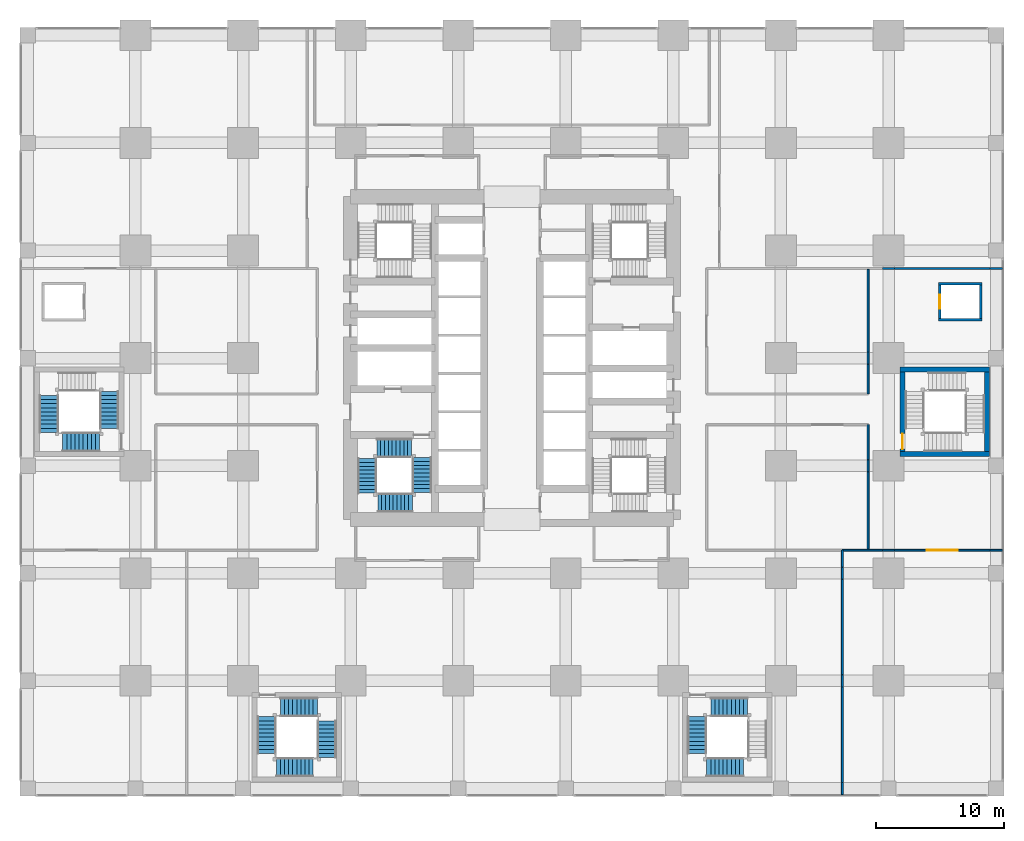
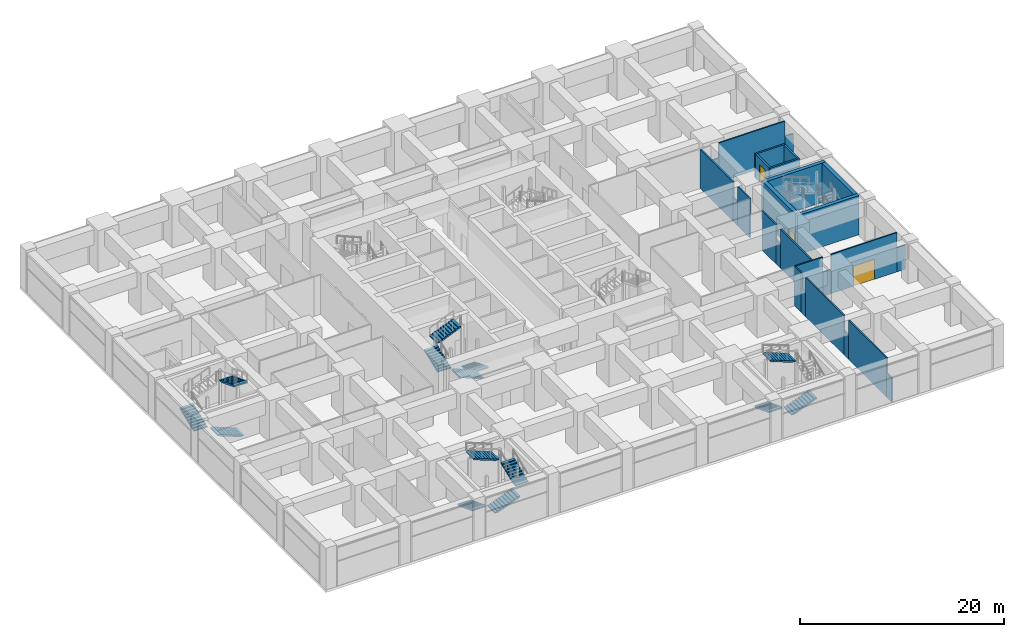
# One storey, part 39 of 49: 27 walls, 14 stair flights, 3 doors, 3 openings, 4 elements without a shape of their own.
"""IFC4 building model written with IfcOpenShell, lengths in metres."""

from ifc_helpers import new_model, si_unit, direction, frame, frame_2d, origin, place, context, subcontext, project, spatial, polyline, rectangle, outline, extrude, material, layer, layer_set, type_object, element, fill, aggregate, save


model = new_model("IFC4")

# Units and contexts
model_context = context("Model", 3, precision=1e-05, world=origin(), true_north=direction((0.0, 1.0)))
body_context = subcontext(model_context, "Body", "Model", "MODEL_VIEW")
ifc_project = project(units=[si_unit("LENGTHUNIT", "METRE"), si_unit("AREAUNIT", "SQUARE_METRE"), si_unit("VOLUMEUNIT", "CUBIC_METRE"), si_unit("PLANEANGLEUNIT", "RADIAN"), si_unit("MASSUNIT", "GRAM", prefix="KILO")], contexts=[model_context])

# Site, building, storey
site_placement = place(None, origin())
site = spatial("IfcSite", under=ifc_project, at=site_placement, CompositionType="ELEMENT")
building_placement = place(site_placement, origin())
building = spatial("IfcBuilding", under=site, at=building_placement, Name="Rekha Terrace Tower", CompositionType="ELEMENT")
storey_placement = place(building_placement, frame((0.0, 0.0, 10.39990234375)))
storey = spatial("IfcBuildingStorey", under=building, at=storey_placement, Name="L02", CompositionType="ELEMENT", Elevation=10.39990234375)

# Walls
ifc_material_1 = material(Name="Concrete block masonry, 1 hour", Category="masonry")
ifc_layer_1 = layer(ifc_material_1, 0.14990234375)
ifc_layer_set_1 = layer_set([ifc_layer_1], Name="Concrete block masonry, 1 hour")
wall_type_1 = type_object("IfcWallType", Name="WP2 150 tenancy partition", PredefinedType="PARTITIONING", material=ifc_layer_set_1)
wall_1_placement = place(storey_placement, frame((76.090087890625, 40.60009765625, 0.0), z_axis=(0.0, 0.0, 1.0), x_axis=(-1.0, 0.0, 0.0)))
element("IfcWall", 1, at=wall_1_placement, inside=storey, type_object=wall_type_1, Name="Partition L02-03", PredefinedType="PARTITIONING", context=body_context, shape_type="SweptSolid", body=[
    extrude(rectangle(XDim=0.9501953125, YDim=0.14990234375, at=frame_2d((0.47509765625, 0.0))), origin(), (0.0, 0.0, 1.0), 2.900146484375),
])
wall_2_placement = place(storey_placement, frame((75.139892578125, 40.60009765625, 0.0), z_axis=(0.0, 0.0, 1.0), x_axis=(-1.0, 0.0, 0.0)))
element("IfcWall", 2, at=wall_2_placement, inside=storey, type_object=wall_type_1, Name="Partition L02-03", PredefinedType="PARTITIONING", context=body_context, shape_type="SweptSolid", body=[
    extrude(rectangle(XDim=7.47998046875, YDim=0.14990234375, at=frame_2d((3.739990234375, 0.0))), origin(), (0.0, 0.0, 1.0), 4.7001953125),
])
wall_3_placement = place(storey_placement, frame((67.659912109375, 40.60009765625, 0.0), z_axis=(0.0, 0.0, 1.0), x_axis=(-1.0, 0.0, 0.0)))
element("IfcWall", 3, at=wall_3_placement, inside=storey, type_object=wall_type_1, Name="Partition L02-03", PredefinedType="PARTITIONING", context=body_context, shape_type="SweptSolid", body=[
    extrude(rectangle(XDim=0.919921875, YDim=0.14990234375, at=frame_2d((0.4599609375, 0.0))), origin(), (0.0, 0.0, 1.0), 2.900146484375),
])
wall_4_placement = place(storey_placement, frame((63.60009765625, -0.489990234375, 0.0), z_axis=(0.0, 0.0, 1.0), x_axis=(0.0, 1.0, 0.0)))
element("IfcWall", 4, at=wall_4_placement, inside=storey, type_object=wall_type_1, Name="Partition L02-05", PredefinedType="PARTITIONING", context=body_context, shape_type="SweptSolid", body=[
    extrude(rectangle(XDim=0.949951171875, YDim=0.14990234375, at=frame_2d((0.47509765625, 0.0))), origin(), (0.0, 0.0, 1.0), 2.900146484375),
])
wall_5_placement = place(storey_placement, frame((63.60009765625, 0.4599609375, 0.0), z_axis=(0.0, 0.0, 1.0), x_axis=(0.0, 1.0, 0.0)))
element("IfcWall", 5, at=wall_5_placement, inside=storey, type_object=wall_type_1, Name="Partition L02-05", PredefinedType="PARTITIONING", context=body_context, shape_type="SweptSolid", body=[
    extrude(rectangle(XDim=7.47998046875, YDim=0.14990234375, at=frame_2d((3.739990234375, 0.0))), origin(), (0.0, 0.0, 1.0), 4.7001953125),
])
wall_6_placement = place(storey_placement, frame((63.60009765625, 7.93994140625, 0.0), z_axis=(0.0, 0.0, 1.0), x_axis=(0.0, 1.0, 0.0)))
element("IfcWall", 6, at=wall_6_placement, inside=storey, type_object=wall_type_1, Name="Partition L02-05", PredefinedType="PARTITIONING", context=body_context, shape_type="SweptSolid", body=[
    extrude(rectangle(XDim=0.920166015625, YDim=0.14990234375, at=frame_2d((0.4599609375, 0.0))), origin(), (0.0, 0.0, 1.0), 2.900146484375),
])
wall_7_placement = place(storey_placement, frame((63.60009765625, 8.860107421875, 0.0), z_axis=(0.0, 0.0, 1.0), x_axis=(0.0, 1.0, 0.0)))
element("IfcWall", 7, at=wall_7_placement, inside=storey, type_object=wall_type_1, Name="Partition L02-05", PredefinedType="PARTITIONING", context=body_context, shape_type="SweptSolid", body=[
    extrude(rectangle(XDim=7.47998046875, YDim=0.14990234375, at=frame_2d((3.739990234375, 0.0))), origin(), (0.0, 0.0, 1.0), 4.7001953125),
])
wall_8_placement = place(storey_placement, frame((63.60009765625, 16.340087890625, 0.0), z_axis=(0.0, 0.0, 1.0), x_axis=(0.0, 1.0, 0.0)))
element("IfcWall", 8, at=wall_8_placement, inside=storey, type_object=wall_type_1, Name="Partition L02-05", PredefinedType="PARTITIONING", context=body_context, shape_type="SweptSolid", body=[
    extrude(rectangle(XDim=0.919921875, YDim=0.14990234375, at=frame_2d((0.4599609375, 0.0))), origin(), (0.0, 0.0, 1.0), 2.900146484375),
])
wall_9_placement = place(storey_placement, frame((63.60009765625, 17.260009765625, 0.0), z_axis=(0.0, 0.0, 1.0), x_axis=(0.0, 1.0, 0.0)))
element("IfcWall", 9, at=wall_9_placement, inside=storey, type_object=wall_type_1, Name="Partition L02-05", PredefinedType="PARTITIONING", context=body_context, shape_type="SweptSolid", body=[
    extrude(rectangle(XDim=1.340087890625, YDim=0.14990234375, at=frame_2d((0.669921875, 0.0))), origin(), (0.0, 0.0, 1.0), 4.7001953125),
])
wall_10_placement = place(storey_placement, frame((63.60009765625, 18.60009765625, 0.0), z_axis=(0.0, 0.0, 1.0), x_axis=(1.0, 0.0, 0.0)))
element("IfcWall", 10, at=wall_10_placement, inside=storey, type_object=wall_type_1, Name="Partition L02-05", PredefinedType="PARTITIONING", context=body_context, shape_type="SweptSolid", body=[
    extrude(rectangle(XDim=3.139892578125, YDim=0.14990234375, at=frame_2d((1.56982421875, 0.0))), origin(), (0.0, 0.0, 1.0), 4.7001953125),
])
wall_11_placement = place(storey_placement, frame((66.739990234375, 18.60009765625, 0.0), z_axis=(0.0, 0.0, 1.0), x_axis=(1.0, 0.0, 0.0)))
element("IfcWall", 11, at=wall_11_placement, inside=storey, type_object=wall_type_1, Name="Partition L02-05", PredefinedType="PARTITIONING", context=body_context, shape_type="SweptSolid", body=[
    extrude(rectangle(XDim=0.919921875, YDim=0.14990234375, at=frame_2d((0.4599609375, 0.0))), origin(), (0.0, 0.0, 1.0), 2.900146484375),
])

# Wall, opening, door
wall_12_placement = place(storey_placement, frame((67.659912109375, 18.60009765625, 0.0), z_axis=(0.0, 0.0, 1.0), x_axis=(1.0, 0.0, 0.0)))
wall_12 = element("IfcWall", 12, at=wall_12_placement, inside=storey, type_object=wall_type_1, Name="Partition L02-05", PredefinedType="PARTITIONING", context=body_context, shape_type="SweptSolid", body=[
    extrude(rectangle(XDim=7.47998046875, YDim=0.14990234375, at=frame_2d((3.739990234375, 0.0))), origin(), (0.0, 0.0, 1.0), 4.7001953125),
])
opening_1_placement = place(wall_12_placement, frame((2.5400390625, 0.0, 0.0)))
opening_1 = element("IfcOpeningElement", 13, at=opening_1_placement, cuts=wall_12, Name="Opening D7", PredefinedType="OPENING", context=body_context, shape_type="SweptSolid", body=[
    extrude(rectangle(XDim=2.39990234375, YDim=2.39990234375, at=frame_2d((1.199951171875, 1.199951171875))), frame((0.0, 0.0849609375, 0.0), z_axis=(0.0, -1.0, 0.0), x_axis=(1.0, 0.0, 0.0)), (0.0, 0.0, 1.0), 0.169921875),
])
ifc_material_2 = material(Name="Glazed aluminium door", Category="aluminium")
door_type_1 = type_object("IfcDoorType", Name="D7 2400x2400 shopfront double door", OperationType="DOUBLE_DOOR_SINGLE_SWING", PredefinedType="DOOR", material=ifc_material_2)
door_1_placement = place(opening_1_placement, origin())
door_1 = element("IfcDoor", 14, at=door_1_placement, inside=storey, type_object=door_type_1, Name="Door retail unit 12 L02", OperationType="DOUBLE_DOOR_SINGLE_SWING", OverallHeight=2.39990234375, OverallWidth=2.39990234375, PredefinedType="DOOR", context=body_context, shape_type="SweptSolid", body=[
    extrude(rectangle(XDim=2.39990234375, YDim=2.39990234375, at=frame_2d((1.199951171875, 1.199951171875))), frame((0.0, 0.02490234375, 0.0), z_axis=(0.0, -1.0, 0.0), x_axis=(1.0, 0.0, 0.0)), (0.0, 0.0, 1.0), 0.050048828125),
])
fill(opening_1, door_1)

# Walls
wall_13_placement = place(storey_placement, frame((75.139892578125, 18.60009765625, 0.0), z_axis=(0.0, 0.0, 1.0), x_axis=(1.0, 0.0, 0.0)))
element("IfcWall", 15, at=wall_13_placement, inside=storey, type_object=wall_type_1, Name="Partition L02-05", PredefinedType="PARTITIONING", context=body_context, shape_type="SweptSolid", body=[
    extrude(rectangle(XDim=0.9501953125, YDim=0.14990234375, at=frame_2d((0.47509765625, 0.0))), origin(), (0.0, 0.0, 1.0), 2.900146484375),
])
wall_14_placement = place(storey_placement, frame((65.60009765625, 28.39990234375, 0.0), z_axis=(0.0, 0.0, 1.0), x_axis=(0.0, -1.0, 0.0)))
element("IfcWall", 16, at=wall_14_placement, inside=storey, type_object=wall_type_1, Name="Partition L02-09", PredefinedType="PARTITIONING", context=body_context, shape_type="SweptSolid", body=[
    extrude(rectangle(XDim=2.739990234375, YDim=0.14990234375, at=frame_2d((1.3701171875, 0.0))), origin(), (0.0, 0.0, 1.0), 4.7001953125),
])
wall_15_placement = place(storey_placement, frame((65.60009765625, 25.659912109375, 0.0), z_axis=(0.0, 0.0, 1.0), x_axis=(0.0, -1.0, 0.0)))
element("IfcWall", 17, at=wall_15_placement, inside=storey, type_object=wall_type_1, Name="Partition L02-09", PredefinedType="PARTITIONING", context=body_context, shape_type="SweptSolid", body=[
    extrude(rectangle(XDim=0.919921875, YDim=0.14990234375, at=frame_2d((0.4599609375, 0.0))), origin(), (0.0, 0.0, 1.0), 2.900146484375),
])
wall_16_placement = place(storey_placement, frame((65.60009765625, 24.739990234375, 0.0), z_axis=(0.0, 0.0, 1.0), x_axis=(0.0, -1.0, 0.0)))
element("IfcWall", 18, at=wall_16_placement, inside=storey, type_object=wall_type_1, Name="Partition L02-09", PredefinedType="PARTITIONING", context=body_context, shape_type="SweptSolid", body=[
    extrude(rectangle(XDim=6.06494140625, YDim=0.14990234375, at=frame_2d((3.032470703125, 0.0))), origin(), (0.0, 0.0, 1.0), 4.7001953125),
])
wall_17_placement = place(storey_placement, frame((65.60009765625, 40.52490234375, 0.0), z_axis=(0.0, 0.0, 1.0), x_axis=(0.0, -1.0, 0.0)))
element("IfcWall", 19, at=wall_17_placement, inside=storey, type_object=wall_type_1, Name="Partition L02-10", PredefinedType="PARTITIONING", context=body_context, shape_type="SweptSolid", body=[
    extrude(rectangle(XDim=6.46484375, YDim=0.14990234375, at=frame_2d((3.232421875, 0.0))), origin(), (0.0, 0.0, 1.0), 4.7001953125),
])
wall_18_placement = place(storey_placement, frame((65.60009765625, 34.06005859375, 0.0), z_axis=(0.0, 0.0, 1.0), x_axis=(0.0, -1.0, 0.0)))
element("IfcWall", 20, at=wall_18_placement, inside=storey, type_object=wall_type_1, Name="Partition L02-10", PredefinedType="PARTITIONING", context=body_context, shape_type="SweptSolid", body=[
    extrude(rectangle(XDim=0.920166015625, YDim=0.14990234375, at=frame_2d((0.4599609375, 0.0))), origin(), (0.0, 0.0, 1.0), 2.900146484375),
])
wall_19_placement = place(storey_placement, frame((65.60009765625, 33.139892578125, 0.0), z_axis=(0.0, 0.0, 1.0), x_axis=(0.0, -1.0, 0.0)))
element("IfcWall", 21, at=wall_19_placement, inside=storey, type_object=wall_type_1, Name="Partition L02-10", PredefinedType="PARTITIONING", context=body_context, shape_type="SweptSolid", body=[
    extrude(rectangle(XDim=2.33984375, YDim=0.14990234375, at=frame_2d((1.169921875, 0.0))), origin(), (0.0, 0.0, 1.0), 4.7001953125),
])
ifc_material_3 = material(Name="Solid concrete block masonry, 2 hour", Category="masonry")
ifc_layer_2 = layer(ifc_material_3, 0.199951171875)
ifc_layer_set_2 = layer_set([ifc_layer_2], Name="Solid concrete block masonry, 2 hour")
wall_type_2 = type_object("IfcWallType", Name="WS1 200 stair and shaft enclosure", PredefinedType="PARTITIONING", material=ifc_layer_set_2)
for number, where, z_axis, x_axis, name in (
    (22, (71.10009765625, 36.60009765625, 0.0), (0.0, 0.0, 1.0), (1.0, 0.0, 0.0), "Lift PL2 shaft south wall"),
    (23, (71.10009765625, 39.39990234375, 0.0), (0.0, 0.0, 1.0), (1.0, 0.0, 0.0), "Lift PL2 shaft north wall"),
):
    element("IfcWall", number, at=place(storey_placement, frame(where, z_axis=z_axis, x_axis=x_axis)), inside=storey, type_object=wall_type_2, Name=name, PredefinedType="PARTITIONING", context=body_context, shape_type="SweptSolid", body=[
        extrude(rectangle(XDim=3.39990234375, YDim=0.199951171875, at=frame_2d((1.699951171875, 0.0))), origin(), (0.0, 0.0, 1.0), 2.900146484375),
    ])

# Wall, opening, door
wall_20_placement = place(storey_placement, frame((71.199951171875, 36.699951171875, 0.0), z_axis=(0.0, 0.0, 1.0), x_axis=(0.0, 1.0, 0.0)))
wall_20 = element("IfcWall", 24, at=wall_20_placement, inside=storey, type_object=wall_type_2, Name="Lift PL2 shaft west wall", PredefinedType="PARTITIONING", context=body_context, shape_type="SweptSolid", body=[
    extrude(rectangle(XDim=2.60009765625, YDim=0.199951171875, at=frame_2d((1.300048828125, 0.0))), origin(), (0.0, 0.0, 1.0), 2.900146484375),
])
opening_2_placement = place(wall_20_placement, frame((0.75, 0.0, 0.0)))
opening_2 = element("IfcOpeningElement", 25, at=opening_2_placement, cuts=wall_20, Name="Opening LD1", PredefinedType="OPENING", context=body_context, shape_type="SweptSolid", body=[
    extrude(rectangle(XDim=1.10009765625, YDim=2.10009765625, at=frame_2d((0.550048828125, 1.050048828125))), frame((0.0, 0.10986328125, 0.0), z_axis=(0.0, -1.0, 0.0), x_axis=(1.0, 0.0, 0.0)), (0.0, 0.0, 1.0), 0.219970703125),
])
ifc_material_4 = material(Name="Stainless steel sliding landing door", Category="steel")
door_type_2 = type_object("IfcDoorType", Name="LD1 1100x2100 lift landing door", OperationType="SLIDING_TO_LEFT", PredefinedType="USERDEFINED", material=ifc_material_4)
door_2_placement = place(opening_2_placement, origin())
door_2 = element("IfcDoor", 26, at=door_2_placement, inside=storey, type_object=door_type_2, Name="Lift PL2 landing door L02", ObjectType="LIFT LANDING DOOR", OperationType="SLIDING_TO_LEFT", OverallHeight=2.10009765625, OverallWidth=1.10009765625, PredefinedType="USERDEFINED", context=body_context, shape_type="SweptSolid", body=[
    extrude(rectangle(XDim=1.10009765625, YDim=2.10009765625, at=frame_2d((0.550048828125, 1.050048828125))), frame((0.0, 0.02490234375, 0.0), z_axis=(0.0, -1.0, 0.0), x_axis=(1.0, 0.0, 0.0)), (0.0, 0.0, 1.0), 0.050048828125),
])
fill(opening_2, door_2)

# Walls
wall_21_placement = place(storey_placement, frame((74.39990234375, 36.699951171875, 0.0), z_axis=(0.0, 0.0, 1.0), x_axis=(0.0, 1.0, 0.0)))
element("IfcWall", 27, at=wall_21_placement, inside=storey, type_object=wall_type_2, Name="Lift PL2 shaft east wall", PredefinedType="PARTITIONING", context=body_context, shape_type="SweptSolid", body=[
    extrude(rectangle(XDim=2.60009765625, YDim=0.199951171875, at=frame_2d((1.300048828125, 0.0))), origin(), (0.0, 0.0, 1.0), 2.900146484375),
])
ifc_material_5 = material(Name="Concrete M60", Category="concrete")
ifc_layer_3 = layer(ifc_material_5, 0.39990234375)
ifc_layer_set_3 = layer_set([ifc_layer_3], Name="Concrete M60")
wall_type_3 = type_object("IfcWallType", Name="WS3 400 RC podium stair wall", PredefinedType="SOLIDWALL", material=ifc_layer_set_3)
for number, where, z_axis, x_axis, name in (
    (28, (68.10009765625, 26.10009765625, 0.0), (0.0, 0.0, 1.0), (1.0, 0.0, 0.0), "Stair SP2 south wall"),
    (29, (68.10009765625, 32.699951171875, 0.0), (0.0, 0.0, 1.0), (1.0, 0.0, 0.0), "Stair SP2 north wall"),
):
    element("IfcWall", number, at=place(storey_placement, frame(where, z_axis=z_axis, x_axis=x_axis)), inside=storey, type_object=wall_type_3, Name=name, PredefinedType="SOLIDWALL", context=body_context, shape_type="SweptSolid", body=[
        extrude(rectangle(XDim=7.0, YDim=0.39990234375, at=frame_2d((3.5, 0.0))), origin(), (0.0, 0.0, 1.0), 4.7001953125),
    ])

# Wall, opening, door
wall_22_placement = place(storey_placement, frame((68.300048828125, 26.300048828125, 0.0), z_axis=(0.0, 0.0, 1.0), x_axis=(0.0, 1.0, 0.0)))
wall_22 = element("IfcWall", 30, at=wall_22_placement, inside=storey, type_object=wall_type_3, Name="Stair SP2 west wall", PredefinedType="SOLIDWALL", context=body_context, shape_type="SweptSolid", body=[
    extrude(rectangle(XDim=6.199951171875, YDim=0.39990234375, at=frame_2d((3.10009765625, 0.0))), origin(), (0.0, 0.0, 1.0), 4.7001953125),
])
opening_3_placement = place(wall_22_placement, frame((0.199951171875, 0.0, 0.0)))
opening_3 = element("IfcOpeningElement", 31, at=opening_3_placement, cuts=wall_22, Name="Opening D1", PredefinedType="OPENING", context=body_context, shape_type="SweptSolid", body=[
    extrude(rectangle(XDim=1.199951171875, YDim=2.10009765625, at=frame_2d((0.60009765625, 1.050048828125))), frame((0.0, 0.2099609375, 0.0), z_axis=(0.0, -1.0, 0.0), x_axis=(1.0, 0.0, 0.0)), (0.0, 0.0, 1.0), 0.419921875),
])
ifc_material_6 = material(Name="Steel fire door", Category="steel")
door_type_3 = type_object("IfcDoorType", Name="D1 1200x2100 stair fire door", OperationType="SINGLE_SWING_RIGHT", PredefinedType="DOOR", material=ifc_material_6)
door_3_placement = place(opening_3_placement, origin())
door_3 = element("IfcDoor", 32, at=door_3_placement, inside=storey, type_object=door_type_3, Name="Stair SP2 door L02", OperationType="SINGLE_SWING_RIGHT", OverallHeight=2.10009765625, OverallWidth=1.199951171875, PredefinedType="DOOR", context=body_context, shape_type="SweptSolid", body=[
    extrude(rectangle(XDim=1.199951171875, YDim=2.10009765625, at=frame_2d((0.60009765625, 1.050048828125))), frame((0.0, 0.02490234375, 0.0), z_axis=(0.0, -1.0, 0.0), x_axis=(1.0, 0.0, 0.0)), (0.0, 0.0, 1.0), 0.050048828125),
])
fill(opening_3, door_3)

# Wall
wall_23_placement = place(storey_placement, frame((74.89990234375, 26.300048828125, 0.0), z_axis=(0.0, 0.0, 1.0), x_axis=(0.0, 1.0, 0.0)))
element("IfcWall", 33, at=wall_23_placement, inside=storey, type_object=wall_type_3, Name="Stair SP2 east wall", PredefinedType="SOLIDWALL", context=body_context, shape_type="SweptSolid", body=[
    extrude(rectangle(XDim=6.199951171875, YDim=0.39990234375, at=frame_2d((3.10009765625, 0.0))), origin(), (0.0, 0.0, 1.0), 4.7001953125),
])

# Stair, stair flights
ifc_material_7 = material(Name="Concrete M40", Category="concrete")
stair_type_1 = type_object("IfcStairType", Name="ST40 stair, 40 risers of 125, going 300, 1500 wide flights, 4 flights", PredefinedType="QUARTER_TURN_STAIR", material=ifc_material_7)
stair_1_placement = place(storey_placement, origin())
stair_1 = element("IfcStair", 34, at=stair_1_placement, inside=storey, type_object=stair_type_1, Name="Stair ST1 L02 to L03", PredefinedType="QUARTER_TURN_STAIR")
stair_flight_type_1 = type_object("IfcStairFlightType", Name="SF10 stair flight, 10 risers of 125, going 300, 1500 wide", PredefinedType="STRAIGHT", material=ifc_material_7)
stair_flight_1_placement = place(storey_placement, frame((30.77490234375, 25.824951171875, 0.0), z_axis=(0.0, 0.0, 1.0), x_axis=(0.0, -1.0, 0.0)))
stair_flight_1 = element("IfcStairFlight", 35, at=stair_flight_1_placement, type_object=stair_flight_type_1, Name="ST1 flight 1", NumberOfRisers=10, NumberOfTreads=9, PredefinedType="STRAIGHT", RiserHeight=0.125, TreadLength=0.3, context=body_context, shape_type="SweptSolid", body=[
    extrude(outline(polyline([(0.0, 0.0), (0.0, 0.125), (0.300048828125, 0.125), (0.300048828125, 0.25), (0.60009765625, 0.25), (0.60009765625, 0.375), (0.89990234375, 0.375), (0.89990234375, 0.5), (1.199951171875, 0.5), (1.199951171875, 0.625), (1.5, 0.625), (1.5, 0.75), (1.800048828125, 0.75), (1.800048828125, 0.875), (2.10009765625, 0.875), (2.10009765625, 1.0), (2.39990234375, 1.0), (2.39990234375, 1.125), (2.699951171875, 1.125), (2.699951171875, 1.25), (2.699951171875, 0.962646484375), (0.3896484375, 0.0), (0.0, 0.0)])), frame((0.0, 0.75, 0.0), z_axis=(0.0, -1.0, 0.0), x_axis=(1.0, 0.0, 0.0)), (0.0, 0.0, 1.0), 1.5),
])
stair_flight_2_placement = place(storey_placement, frame((30.02490234375, 22.300048828125, 1.25), z_axis=(0.0, 0.0, 1.0), x_axis=(-1.0, 0.0, 0.0)))
stair_flight_2 = element("IfcStairFlight", 36, at=stair_flight_2_placement, type_object=stair_flight_type_1, Name="ST1 flight 2", NumberOfRisers=10, NumberOfTreads=9, PredefinedType="STRAIGHT", RiserHeight=0.125, TreadLength=0.3, context=body_context, shape_type="SweptSolid", body=[
    extrude(outline(polyline([(0.0, 0.0), (0.0, 0.125), (0.300048828125, 0.125), (0.300048828125, 0.25), (0.60009765625, 0.25), (0.60009765625, 0.375), (0.89990234375, 0.375), (0.89990234375, 0.5), (1.199951171875, 0.5), (1.199951171875, 0.625), (1.5, 0.625), (1.5, 0.75), (1.800048828125, 0.75), (1.800048828125, 0.875), (2.10009765625, 0.875), (2.10009765625, 1.0), (2.39990234375, 1.0), (2.39990234375, 1.125), (2.699951171875, 1.125), (2.699951171875, 1.25), (2.699951171875, 0.962646484375), (0.3896484375, 0.0), (0.0, 0.0)])), frame((0.0, 0.75, 0.0), z_axis=(0.0, -1.0, 0.0), x_axis=(1.0, 0.0, 0.0)), (0.0, 0.0, 1.0), 1.5),
])
stair_flight_3_placement = place(storey_placement, frame((26.5, 23.050048828125, 2.5), z_axis=(0.0, 0.0, 1.0), x_axis=(0.0, 1.0, 0.0)))
stair_flight_3 = element("IfcStairFlight", 37, at=stair_flight_3_placement, type_object=stair_flight_type_1, Name="ST1 flight 3", NumberOfRisers=10, NumberOfTreads=9, PredefinedType="STRAIGHT", RiserHeight=0.125, TreadLength=0.3, context=body_context, shape_type="SweptSolid", body=[
    extrude(outline(polyline([(0.0, 0.0), (0.0, 0.125), (0.300048828125, 0.125), (0.300048828125, 0.25), (0.60009765625, 0.25), (0.60009765625, 0.375), (0.89990234375, 0.375), (0.89990234375, 0.5), (1.199951171875, 0.5), (1.199951171875, 0.625), (1.5, 0.625), (1.5, 0.75), (1.800048828125, 0.75), (1.800048828125, 0.875), (2.10009765625, 0.875), (2.10009765625, 1.0), (2.39990234375, 1.0), (2.39990234375, 1.125), (2.699951171875, 1.125), (2.699951171875, 1.25), (2.699951171875, 0.962646484375), (0.3896484375, 0.0), (0.0, 0.0)])), frame((0.0, 0.75, 0.0), z_axis=(0.0, -1.0, 0.0), x_axis=(1.0, 0.0, 0.0)), (0.0, 0.0, 1.0), 1.5),
])
stair_flight_4_placement = place(storey_placement, frame((27.25, 26.574951171875, 3.75), z_axis=(0.0, 0.0, 1.0), x_axis=(1.0, 0.0, 0.0)))
stair_flight_4 = element("IfcStairFlight", 38, at=stair_flight_4_placement, type_object=stair_flight_type_1, Name="ST1 flight 4", NumberOfRisers=10, NumberOfTreads=9, PredefinedType="STRAIGHT", RiserHeight=0.125, TreadLength=0.3, context=body_context, shape_type="SweptSolid", body=[
    extrude(outline(polyline([(0.0, 0.0), (0.0, 0.125), (0.300048828125, 0.125), (0.300048828125, 0.25), (0.60009765625, 0.25), (0.60009765625, 0.375), (0.89990234375, 0.375), (0.89990234375, 0.5), (1.199951171875, 0.5), (1.199951171875, 0.625), (1.5, 0.625), (1.5, 0.75), (1.800048828125, 0.75), (1.800048828125, 0.875), (2.10009765625, 0.875), (2.10009765625, 1.0), (2.39990234375, 1.0), (2.39990234375, 1.125), (2.699951171875, 1.125), (2.699951171875, 1.25), (2.699951171875, 0.962646484375), (0.3896484375, 0.0), (0.0, 0.0)])), frame((0.0, 0.75, 0.0), z_axis=(0.0, -1.0, 0.0), x_axis=(1.0, 0.0, 0.0)), (0.0, 0.0, 1.0), 1.5),
])
aggregate(stair_1, [stair_flight_1, stair_flight_2, stair_flight_3, stair_flight_4])

stair_type_2 = type_object("IfcStairType", Name="ST40 stair, 40 risers of 125, going 320, 1500 wide flights, 4 flights", PredefinedType="QUARTER_TURN_STAIR", material=ifc_material_7)
stair_2_placement = place(storey_placement, origin())
stair_2 = element("IfcStair", 39, at=stair_2_placement, inside=storey, type_object=stair_type_2, Name="Stair SP1 L02 to L03", PredefinedType="QUARTER_TURN_STAIR")
stair_flight_type_2 = type_object("IfcStairFlightType", Name="SF10 stair flight, 10 risers of 125, going 320, 1500 wide", PredefinedType="STRAIGHT", material=ifc_material_7)
stair_flight_5_placement = place(storey_placement, frame((5.60009765625, 27.050048828125, 0.0), z_axis=(0.0, 0.0, 1.0), x_axis=(-1.0, 0.0, 0.0)))
stair_flight_5 = element("IfcStairFlight", 40, at=stair_flight_5_placement, type_object=stair_flight_type_2, Name="SP1 flight 1", NumberOfRisers=10, NumberOfTreads=9, PredefinedType="STRAIGHT", RiserHeight=0.125, TreadLength=0.32, context=body_context, shape_type="SweptSolid", body=[
    extrude(outline(polyline([(0.0, 0.0), (0.0, 0.125), (0.320068359375, 0.125), (0.320068359375, 0.25), (0.639892578125, 0.25), (0.639892578125, 0.375), (0.9599609375, 0.375), (0.9599609375, 0.5), (1.280029296875, 0.5), (1.280029296875, 0.625), (1.60009765625, 0.625), (1.60009765625, 0.75), (1.919921875, 0.75), (1.919921875, 0.875), (2.239990234375, 0.875), (2.239990234375, 1.0), (2.56005859375, 1.0), (2.56005859375, 1.125), (2.8798828125, 1.125), (2.8798828125, 1.25), (2.8798828125, 0.964111328125), (0.412109375, 0.0), (0.0, 0.0)])), frame((0.0, 0.75, 0.0), z_axis=(0.0, -1.0, 0.0), x_axis=(1.0, 0.0, 0.0)), (0.0, 0.0, 1.0), 1.5),
])
stair_flight_6_placement = place(storey_placement, frame((1.64990234375, 27.800048828125, 1.25), z_axis=(0.0, 0.0, 1.0), x_axis=(0.0, 1.0, 0.0)))
stair_flight_6 = element("IfcStairFlight", 41, at=stair_flight_6_placement, type_object=stair_flight_type_2, Name="SP1 flight 2", NumberOfRisers=10, NumberOfTreads=9, PredefinedType="STRAIGHT", RiserHeight=0.125, TreadLength=0.32, context=body_context, shape_type="SweptSolid", body=[
    extrude(outline(polyline([(0.0, 0.0), (0.0, 0.125), (0.320068359375, 0.125), (0.320068359375, 0.25), (0.639892578125, 0.25), (0.639892578125, 0.375), (0.9599609375, 0.375), (0.9599609375, 0.5), (1.280029296875, 0.5), (1.280029296875, 0.625), (1.60009765625, 0.625), (1.60009765625, 0.75), (1.919921875, 0.75), (1.919921875, 0.875), (2.239990234375, 0.875), (2.239990234375, 1.0), (2.56005859375, 1.0), (2.56005859375, 1.125), (2.8798828125, 1.125), (2.8798828125, 1.25), (2.8798828125, 0.964111328125), (0.412109375, 0.0), (0.0, 0.0)])), frame((0.0, 0.75, 0.0), z_axis=(0.0, -1.0, 0.0), x_axis=(1.0, 0.0, 0.0)), (0.0, 0.0, 1.0), 1.5),
])
stair_flight_7_placement = place(storey_placement, frame((6.35009765625, 31.0, 3.75), z_axis=(0.0, 0.0, 1.0), x_axis=(0.0, -1.0, 0.0)))
stair_flight_7 = element("IfcStairFlight", 42, at=stair_flight_7_placement, type_object=stair_flight_type_2, Name="SP1 flight 4", NumberOfRisers=10, NumberOfTreads=9, PredefinedType="STRAIGHT", RiserHeight=0.125, TreadLength=0.32, context=body_context, shape_type="SweptSolid", body=[
    extrude(outline(polyline([(0.0, 0.0), (0.0, 0.125), (0.320068359375, 0.125), (0.320068359375, 0.25), (0.639892578125, 0.25), (0.639892578125, 0.375), (0.9599609375, 0.375), (0.9599609375, 0.5), (1.280029296875, 0.5), (1.280029296875, 0.625), (1.60009765625, 0.625), (1.60009765625, 0.75), (1.919921875, 0.75), (1.919921875, 0.875), (2.239990234375, 0.875), (2.239990234375, 1.0), (2.56005859375, 1.0), (2.56005859375, 1.125), (2.8798828125, 1.125), (2.8798828125, 1.25), (2.8798828125, 0.964111328125), (0.412109375, 0.0), (0.0, 0.0)])), frame((0.0, 0.75, 0.0), z_axis=(0.0, -1.0, 0.0), x_axis=(1.0, 0.0, 0.0)), (0.0, 0.0, 1.0), 1.5),
])
aggregate(stair_2, [stair_flight_5, stair_flight_6, stair_flight_7])

stair_3_placement = place(storey_placement, origin())
stair_3 = element("IfcStair", 43, at=stair_3_placement, inside=storey, type_object=stair_type_2, Name="Stair SP3 L02 to L03", PredefinedType="QUARTER_TURN_STAIR")
stair_flight_8_placement = place(storey_placement, frame((18.64990234375, 5.60009765625, 0.0), z_axis=(0.0, 0.0, 1.0), x_axis=(0.0, -1.0, 0.0)))
stair_flight_8 = element("IfcStairFlight", 44, at=stair_flight_8_placement, type_object=stair_flight_type_2, Name="SP3 flight 1", NumberOfRisers=10, NumberOfTreads=9, PredefinedType="STRAIGHT", RiserHeight=0.125, TreadLength=0.32, context=body_context, shape_type="SweptSolid", body=[
    extrude(outline(polyline([(0.0, 0.0), (0.0, 0.125), (0.320068359375, 0.125), (0.320068359375, 0.25), (0.639892578125, 0.25), (0.639892578125, 0.375), (0.9599609375, 0.375), (0.9599609375, 0.5), (1.280029296875, 0.5), (1.280029296875, 0.625), (1.60009765625, 0.625), (1.60009765625, 0.75), (1.919921875, 0.75), (1.919921875, 0.875), (2.239990234375, 0.875), (2.239990234375, 1.0), (2.56005859375, 1.0), (2.56005859375, 1.125), (2.8798828125, 1.125), (2.8798828125, 1.25), (2.8798828125, 0.964111328125), (0.412109375, 0.0), (0.0, 0.0)])), frame((0.0, 0.75, 0.0), z_axis=(0.0, -1.0, 0.0), x_axis=(1.0, 0.0, 0.0)), (0.0, 0.0, 1.0), 1.5),
])
stair_flight_9_placement = place(storey_placement, frame((19.39990234375, 1.64990234375, 1.25), z_axis=(0.0, 0.0, 1.0), x_axis=(1.0, 0.0, 0.0)))
stair_flight_9 = element("IfcStairFlight", 45, at=stair_flight_9_placement, type_object=stair_flight_type_2, Name="SP3 flight 2", NumberOfRisers=10, NumberOfTreads=9, PredefinedType="STRAIGHT", RiserHeight=0.125, TreadLength=0.32, context=body_context, shape_type="SweptSolid", body=[
    extrude(outline(polyline([(0.0, 0.0), (0.0, 0.125), (0.320068359375, 0.125), (0.320068359375, 0.25), (0.639892578125, 0.25), (0.639892578125, 0.375), (0.9599609375, 0.375), (0.9599609375, 0.5), (1.280029296875, 0.5), (1.280029296875, 0.625), (1.60009765625, 0.625), (1.60009765625, 0.75), (1.919921875, 0.75), (1.919921875, 0.875), (2.239990234375, 0.875), (2.239990234375, 1.0), (2.56005859375, 1.0), (2.56005859375, 1.125), (2.8798828125, 1.125), (2.8798828125, 1.25), (2.8798828125, 0.964111328125), (0.412109375, 0.0), (0.0, 0.0)])), frame((0.0, 0.75, 0.0), z_axis=(0.0, -1.0, 0.0), x_axis=(1.0, 0.0, 0.0)), (0.0, 0.0, 1.0), 1.5),
])
stair_flight_10_placement = place(storey_placement, frame((23.35009765625, 2.39990234375, 2.5), z_axis=(0.0, 0.0, 1.0), x_axis=(0.0, 1.0, 0.0)))
stair_flight_10 = element("IfcStairFlight", 46, at=stair_flight_10_placement, type_object=stair_flight_type_2, Name="SP3 flight 3", NumberOfRisers=10, NumberOfTreads=9, PredefinedType="STRAIGHT", RiserHeight=0.125, TreadLength=0.32, context=body_context, shape_type="SweptSolid", body=[
    extrude(outline(polyline([(0.0, 0.0), (0.0, 0.125), (0.320068359375, 0.125), (0.320068359375, 0.25), (0.639892578125, 0.25), (0.639892578125, 0.375), (0.9599609375, 0.375), (0.9599609375, 0.5), (1.280029296875, 0.5), (1.280029296875, 0.625), (1.60009765625, 0.625), (1.60009765625, 0.75), (1.919921875, 0.75), (1.919921875, 0.875), (2.239990234375, 0.875), (2.239990234375, 1.0), (2.56005859375, 1.0), (2.56005859375, 1.125), (2.8798828125, 1.125), (2.8798828125, 1.25), (2.8798828125, 0.964111328125), (0.412109375, 0.0), (0.0, 0.0)])), frame((0.0, 0.75, 0.0), z_axis=(0.0, -1.0, 0.0), x_axis=(1.0, 0.0, 0.0)), (0.0, 0.0, 1.0), 1.5),
])
stair_flight_11_placement = place(storey_placement, frame((22.60009765625, 6.35009765625, 3.75), z_axis=(0.0, 0.0, 1.0), x_axis=(-1.0, 0.0, 0.0)))
stair_flight_11 = element("IfcStairFlight", 47, at=stair_flight_11_placement, type_object=stair_flight_type_2, Name="SP3 flight 4", NumberOfRisers=10, NumberOfTreads=9, PredefinedType="STRAIGHT", RiserHeight=0.125, TreadLength=0.32, context=body_context, shape_type="SweptSolid", body=[
    extrude(outline(polyline([(0.0, 0.0), (0.0, 0.125), (0.320068359375, 0.125), (0.320068359375, 0.25), (0.639892578125, 0.25), (0.639892578125, 0.375), (0.9599609375, 0.375), (0.9599609375, 0.5), (1.280029296875, 0.5), (1.280029296875, 0.625), (1.60009765625, 0.625), (1.60009765625, 0.75), (1.919921875, 0.75), (1.919921875, 0.875), (2.239990234375, 0.875), (2.239990234375, 1.0), (2.56005859375, 1.0), (2.56005859375, 1.125), (2.8798828125, 1.125), (2.8798828125, 1.25), (2.8798828125, 0.964111328125), (0.412109375, 0.0), (0.0, 0.0)])), frame((0.0, 0.75, 0.0), z_axis=(0.0, -1.0, 0.0), x_axis=(1.0, 0.0, 0.0)), (0.0, 0.0, 1.0), 1.5),
])
aggregate(stair_3, [stair_flight_8, stair_flight_9, stair_flight_10, stair_flight_11])

stair_4_placement = place(storey_placement, origin())
stair_4 = element("IfcStair", 48, at=stair_4_placement, inside=storey, type_object=stair_type_2, Name="Stair SP4 L02 to L03", PredefinedType="QUARTER_TURN_STAIR")
stair_flight_12_placement = place(storey_placement, frame((52.25, 5.60009765625, 0.0), z_axis=(0.0, 0.0, 1.0), x_axis=(0.0, -1.0, 0.0)))
stair_flight_12 = element("IfcStairFlight", 49, at=stair_flight_12_placement, type_object=stair_flight_type_2, Name="SP4 flight 1", NumberOfRisers=10, NumberOfTreads=9, PredefinedType="STRAIGHT", RiserHeight=0.125, TreadLength=0.32, context=body_context, shape_type="SweptSolid", body=[
    extrude(outline(polyline([(0.0, 0.0), (0.0, 0.125), (0.320068359375, 0.125), (0.320068359375, 0.25), (0.639892578125, 0.25), (0.639892578125, 0.375), (0.9599609375, 0.375), (0.9599609375, 0.5), (1.280029296875, 0.5), (1.280029296875, 0.625), (1.60009765625, 0.625), (1.60009765625, 0.75), (1.919921875, 0.75), (1.919921875, 0.875), (2.239990234375, 0.875), (2.239990234375, 1.0), (2.56005859375, 1.0), (2.56005859375, 1.125), (2.8798828125, 1.125), (2.8798828125, 1.25), (2.8798828125, 0.964111328125), (0.412109375, 0.0), (0.0, 0.0)])), frame((0.0, 0.75, 0.0), z_axis=(0.0, -1.0, 0.0), x_axis=(1.0, 0.0, 0.0)), (0.0, 0.0, 1.0), 1.5),
])
stair_flight_13_placement = place(storey_placement, frame((53.0, 1.64990234375, 1.25), z_axis=(0.0, 0.0, 1.0), x_axis=(1.0, 0.0, 0.0)))
stair_flight_13 = element("IfcStairFlight", 50, at=stair_flight_13_placement, type_object=stair_flight_type_2, Name="SP4 flight 2", NumberOfRisers=10, NumberOfTreads=9, PredefinedType="STRAIGHT", RiserHeight=0.125, TreadLength=0.32, context=body_context, shape_type="SweptSolid", body=[
    extrude(outline(polyline([(0.0, 0.0), (0.0, 0.125), (0.320068359375, 0.125), (0.320068359375, 0.25), (0.639892578125, 0.25), (0.639892578125, 0.375), (0.9599609375, 0.375), (0.9599609375, 0.5), (1.280029296875, 0.5), (1.280029296875, 0.625), (1.60009765625, 0.625), (1.60009765625, 0.75), (1.919921875, 0.75), (1.919921875, 0.875), (2.239990234375, 0.875), (2.239990234375, 1.0), (2.56005859375, 1.0), (2.56005859375, 1.125), (2.8798828125, 1.125), (2.8798828125, 1.25), (2.8798828125, 0.964111328125), (0.412109375, 0.0), (0.0, 0.0)])), frame((0.0, 0.75, 0.0), z_axis=(0.0, -1.0, 0.0), x_axis=(1.0, 0.0, 0.0)), (0.0, 0.0, 1.0), 1.5),
])
stair_flight_14_placement = place(storey_placement, frame((56.199951171875, 6.35009765625, 3.75), z_axis=(0.0, 0.0, 1.0), x_axis=(-1.0, 0.0, 0.0)))
stair_flight_14 = element("IfcStairFlight", 51, at=stair_flight_14_placement, type_object=stair_flight_type_2, Name="SP4 flight 4", NumberOfRisers=10, NumberOfTreads=9, PredefinedType="STRAIGHT", RiserHeight=0.125, TreadLength=0.32, context=body_context, shape_type="SweptSolid", body=[
    extrude(outline(polyline([(0.0, 0.0), (0.0, 0.125), (0.320068359375, 0.125), (0.320068359375, 0.25), (0.639892578125, 0.25), (0.639892578125, 0.375), (0.9599609375, 0.375), (0.9599609375, 0.5), (1.280029296875, 0.5), (1.280029296875, 0.625), (1.60009765625, 0.625), (1.60009765625, 0.75), (1.919921875, 0.75), (1.919921875, 0.875), (2.239990234375, 0.875), (2.239990234375, 1.0), (2.56005859375, 1.0), (2.56005859375, 1.125), (2.8798828125, 1.125), (2.8798828125, 1.25), (2.8798828125, 0.964111328125), (0.412109375, 0.0), (0.0, 0.0)])), frame((0.0, 0.75, 0.0), z_axis=(0.0, -1.0, 0.0), x_axis=(1.0, 0.0, 0.0)), (0.0, 0.0, 1.0), 1.5),
])
aggregate(stair_4, [stair_flight_12, stair_flight_13, stair_flight_14])

save(model, "model.ifc")
